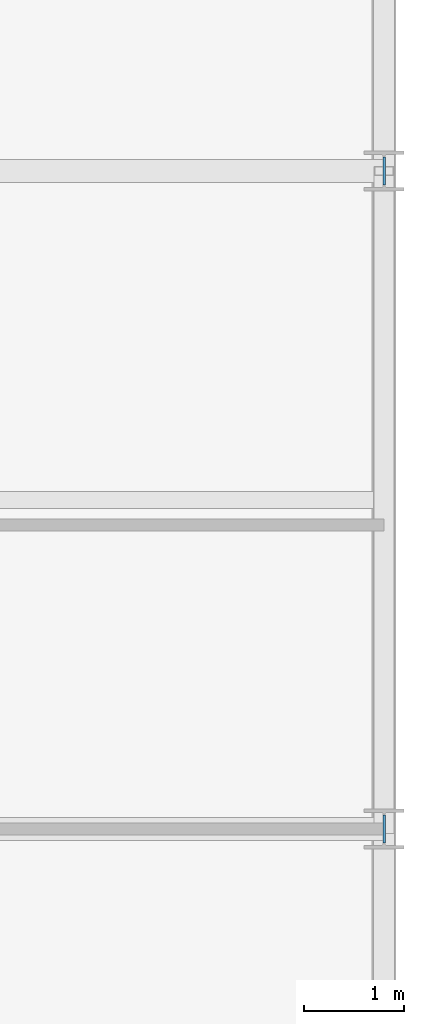
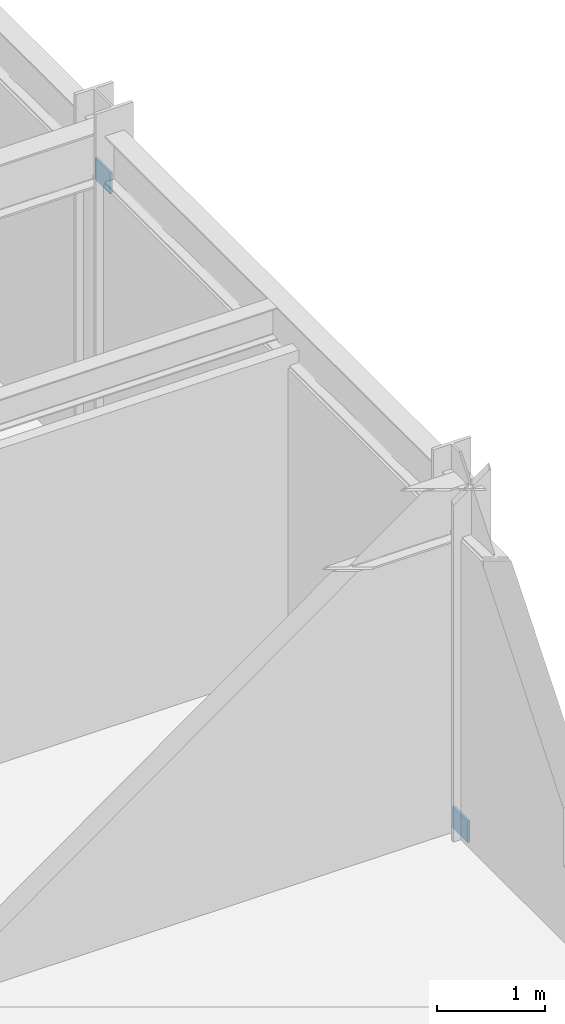
# One storey, part 136 of 157: 2 plates.
"""IFC4 building model written with IfcOpenShell, lengths in metres."""

from ifc_helpers import new_model, si_unit, direction, frame, origin, origin_2d, place, context, subcontext, project, spatial, rectangle, extrude, material, layer, layer_set, type_object, element, save


model = new_model("IFC4")

# Units and contexts
model_context = context("Model", 3, precision=1e-05, world=origin(), true_north=direction((0.0, 1.0)))
body_context = subcontext(model_context, "Body", "Model", "MODEL_VIEW")
ifc_project = project(units=[si_unit("LENGTHUNIT", "METRE"), si_unit("AREAUNIT", "SQUARE_METRE"), si_unit("VOLUMEUNIT", "CUBIC_METRE"), si_unit("PLANEANGLEUNIT", "RADIAN"), si_unit("MASSUNIT", "GRAM", prefix="KILO")], contexts=[model_context])

# Site, building, storey
site_placement = place(None, origin())
site = spatial("IfcSite", under=ifc_project, at=site_placement, CompositionType="ELEMENT")
building_placement = place(site_placement, origin())
building = spatial("IfcBuilding", under=site, at=building_placement, Name="Karori Crest Natural Sciences Institute", CompositionType="ELEMENT")
storey_placement = place(building_placement, frame((0.0, 0.0, 13.300048828125)))
storey = spatial("IfcBuildingStorey", under=building, at=storey_placement, Name="L03", CompositionType="ELEMENT", Elevation=13.300048828125)

# Plates
ifc_material = material(Name="Structural steel AS/NZS 3679.1 Grade 350", Category="steel")
ifc_layer = layer(ifc_material, 0.02490234375, Name="Structural steel AS/NZS 3679.1 Grade 350")
ifc_layer_set = layer_set([ifc_layer], Name="Structural steel AS/NZS 3679.1 Grade 350")
plate_type = type_object("IfcPlateType", Name="PLT-06-EL", PredefinedType="SHEET", material=ifc_layer_set)
for number, where, z_axis, x_axis, name in (
    (1, (162.199951171875, 7.39990234375, -0.10986328125), (0.0, 0.0, 1.0), (0.0, 1.0, 0.0), "Brace gusset plate EP-0402"),
    (2, (162.199951171875, 14.0, 3.19775390625), (0.0, 0.0, 1.0), (0.0, 1.0, 0.0), "Brace gusset plate EP-0403"),
):
    element("IfcPlate", number, at=place(storey_placement, frame(where, z_axis=z_axis, x_axis=x_axis)), inside=storey, type_object=plate_type, Name=name, PredefinedType="SHEET", context=body_context, shape_type="SweptSolid", body=[
        extrude(rectangle(XDim=0.280029296875, YDim=0.02490234375, at=origin_2d()), origin(), (0.0, 0.0, 1.0), 0.239990234375),
    ])

save(model, "model.ifc")
